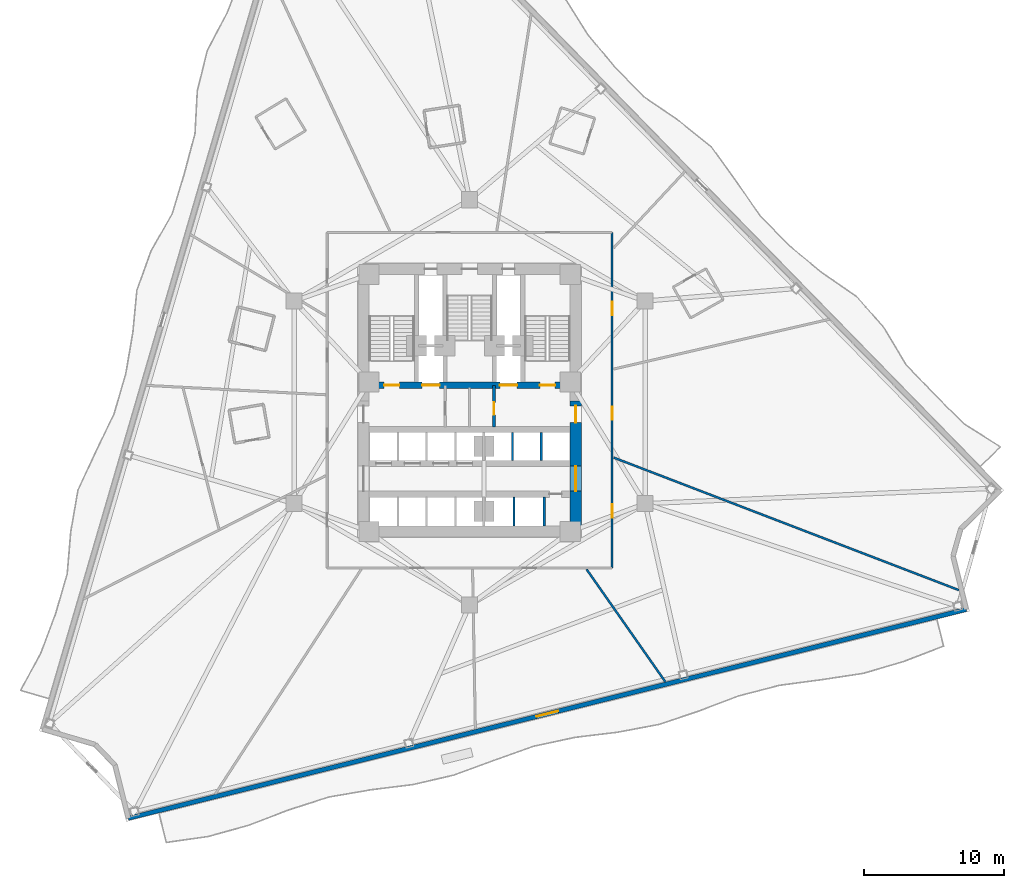
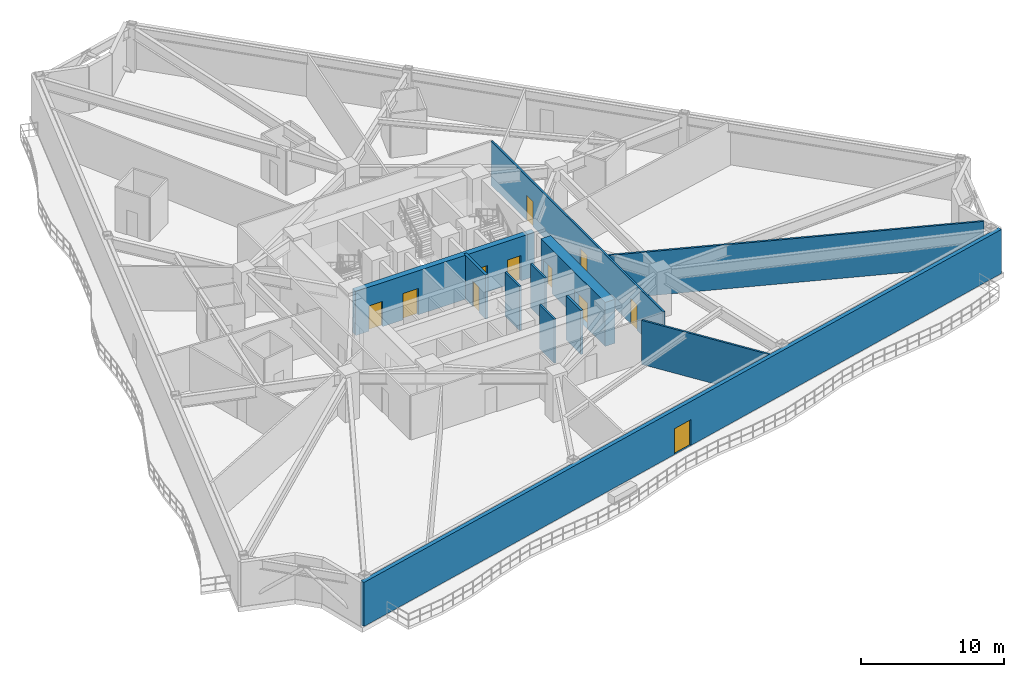
# One storey, part 7 of 13: 11 doors, 11 walls, 11 openings.
"""IFC4 building model written with IfcOpenShell, lengths in metres."""

from ifc_helpers import new_model, si_unit, direction, frame, frame_2d, origin, place, context, subcontext, project, spatial, rectangle, extrude, material, layer, layer_set, type_object, element, fill, save


model = new_model("IFC4")

# Units and contexts
model_context = context("Model", 3, precision=1e-05, world=origin(), true_north=direction((0.0, 1.0)))
body_context = subcontext(model_context, "Body", "Model", "MODEL_VIEW")
ifc_project = project(units=[si_unit("LENGTHUNIT", "METRE"), si_unit("AREAUNIT", "SQUARE_METRE"), si_unit("VOLUMEUNIT", "CUBIC_METRE"), si_unit("PLANEANGLEUNIT", "RADIAN"), si_unit("MASSUNIT", "GRAM", prefix="KILO")], contexts=[model_context])

# Site, building, storey
site_placement = place(None, origin())
site = spatial("IfcSite", under=ifc_project, at=site_placement, CompositionType="ELEMENT")
building_placement = place(site_placement, origin())
building = spatial("IfcBuilding", under=site, at=building_placement, Name="Apsidion Concourse Tower", CompositionType="ELEMENT")
storey_placement = place(building_placement, frame((0.0, 0.0, 95.0)))
storey = spatial("IfcBuildingStorey", under=building, at=storey_placement, Name="L21", CompositionType="ELEMENT", Elevation=95.0)

# Wall, opening, door
ifc_material_1 = material(Name="Precast concrete C40/50", Category="concrete")
ifc_layer_1 = layer(ifc_material_1, 0.320068359375)
ifc_layer_set_1 = layer_set([ifc_layer_1], Name="Precast concrete C40/50")
wall_type_1 = type_object("IfcWallType", Name="WL-EXT-320", PredefinedType="STANDARD", material=ifc_layer_set_1)
wall_1_placement = place(storey_placement, frame((35.546142578125, -14.818359375, 0.0), z_axis=(0.0, 0.0, 1.0), x_axis=(-0.970295883146, -0.241921266428, 0.0)))
wall_1 = element("IfcWall", 1, at=wall_1_placement, inside=storey, type_object=wall_type_1, Name="L21 Precast Stone Facade Wall 05", PredefinedType="STANDARD", context=body_context, shape_type="SweptSolid", body=[
    extrude(rectangle(XDim=61.810791015625, YDim=0.320068359375, at=frame_2d((30.9052734375, 0.0))), origin(), (0.0, 0.0, 1.0), 3.75),
])
opening_1_placement = place(wall_1_placement, frame((30.10546875, 0.0, 0.0)))
opening_1 = element("IfcOpeningElement", 2, at=opening_1_placement, cuts=wall_1, Name="Opening D-T2D", PredefinedType="OPENING", context=body_context, shape_type="SweptSolid", body=[
    extrude(rectangle(XDim=1.60009765625, YDim=2.199951171875, at=frame_2d((0.800048828125, 1.10009765625))), frame((0.0, 0.169921875, 0.0), z_axis=(0.0, -1.0, 0.0), x_axis=(1.0, 0.0, 0.0)), (0.0, 0.0, 1.0), 0.340087890625),
])
ifc_material_2 = material(Name="Anodised aluminium EN AW-6063 T6", Category="aluminium")
door_type_1 = type_object("IfcDoorType", Name="DR-TER-1622D", OperationType="DOUBLE_DOOR_SINGLE_SWING", PredefinedType="DOOR", material=ifc_material_2)
door_1_placement = place(opening_1_placement, origin())
door_1 = element("IfcDoor", 3, at=door_1_placement, inside=storey, type_object=door_type_1, Name="L21 Spiral Sky-Terrace Access Door 2", OperationType="DOUBLE_DOOR_SINGLE_SWING", OverallHeight=2.199951171875, OverallWidth=1.60009765625, PredefinedType="DOOR", context=body_context, shape_type="SweptSolid", body=[
    extrude(rectangle(XDim=1.60009765625, YDim=2.199951171875, at=frame_2d((0.800048828125, 1.10009765625))), frame((0.0, 0.02490234375, 0.0), z_axis=(0.0, -1.0, 0.0), x_axis=(1.0, 0.0, 0.0)), (0.0, 0.0, 1.0), 0.050048828125),
])
fill(opening_1, door_1)

# Walls
ifc_material_3 = material(Name="Gypsum plasterboard partition")
ifc_layer_2 = layer(ifc_material_3, 0.14990234375)
ifc_layer_set_2 = layer_set([ifc_layer_2], Name="Gypsum plasterboard partition")
wall_type_2 = type_object("IfcWallType", Name="WL-INT-PAR-150", PredefinedType="PARTITIONING", material=ifc_layer_set_2)
for number, where, z_axis, x_axis, name in (
    (4, (3.074951171875, -4.179931640625, 0.0), (0.0, 0.0, 1.0), (0.0, 1.0, 0.0), "L21 Interior Partition WL-L21-B3DIV-1"),
    (5, (5.125, -4.179931640625, 0.0), (0.0, 0.0, 1.0), (0.0, 1.0, 0.0), "L21 Interior Partition WL-L21-B3DIV-2"),
):
    element("IfcWall", number, at=place(storey_placement, frame(where, z_axis=z_axis, x_axis=x_axis)), inside=storey, type_object=wall_type_2, Name=name, PredefinedType="PARTITIONING", context=body_context, shape_type="SweptSolid", body=[
        extrude(rectangle(XDim=2.030029296875, YDim=0.14990234375, at=frame_2d((1.01513671875, 0.0))), origin(), (0.0, 0.0, 1.0), 3.75),
    ])
wall_2_placement = place(storey_placement, frame((3.175048828125, -8.85009765625, 0.0), z_axis=(0.0, 0.0, 1.0), x_axis=(0.0, 1.0, 0.0)))
element("IfcWall", 6, at=wall_2_placement, inside=storey, type_object=wall_type_2, Name="L21 Interior Partition WL-L21-SHDIV-1", PredefinedType="PARTITIONING", context=body_context, shape_type="SweptSolid", body=[
    extrude(rectangle(XDim=2.080078125, YDim=0.14990234375, at=frame_2d((1.0400390625, 0.0))), origin(), (0.0, 0.0, 1.0), 3.75),
])

# Wall, openings, doors
wall_3_placement = place(storey_placement, frame((10.199951171875, 12.14990234375, 0.0), z_axis=(0.0, 0.0, 1.0), x_axis=(0.0, -1.0, 0.0)))
wall_3 = element("IfcWall", 7, at=wall_3_placement, inside=storey, type_object=wall_type_2, Name="L21 Interior Partition WL-L21-CORR-02", PredefinedType="PARTITIONING", context=body_context, shape_type="SweptSolid", body=[
    extrude(rectangle(XDim=24.0, YDim=0.14990234375, at=frame_2d((12.0, 0.0))), origin(), (0.0, 0.0, 1.0), 3.75),
])
opening_2_placement = place(wall_3_placement, frame((19.447509765625, 0.0, 0.0)))
opening_2 = element("IfcOpeningElement", 8, at=opening_2_placement, cuts=wall_3, Name="Opening D-01L", PredefinedType="OPENING", context=body_context, shape_type="SweptSolid", body=[
    extrude(rectangle(XDim=0.949951171875, YDim=2.14990234375, at=frame_2d((0.47509765625, 1.074951171875))), frame((0.0, 0.0849609375, 0.0), z_axis=(0.0, -1.0, 0.0), x_axis=(1.0, 0.0, 0.0)), (0.0, 0.0, 1.0), 0.169921875),
])
opening_3_placement = place(wall_3_placement, frame((12.4609375, 0.0, 0.0)))
opening_3 = element("IfcOpeningElement", 9, at=opening_3_placement, cuts=wall_3, Name="Opening D-01R", PredefinedType="OPENING", context=body_context, shape_type="SweptSolid", body=[
    extrude(rectangle(XDim=0.949951171875, YDim=2.14990234375, at=frame_2d((0.47509765625, 1.074951171875))), frame((0.0, 0.0849609375, 0.0), z_axis=(0.0, -1.0, 0.0), x_axis=(1.0, 0.0, 0.0)), (0.0, 0.0, 1.0), 0.169921875),
])
opening_4_placement = place(wall_3_placement, frame((4.951416015625, 0.0, 0.0)))
opening_4 = element("IfcOpeningElement", 10, at=opening_4_placement, cuts=wall_3, Name="Opening D-01L", PredefinedType="OPENING", context=body_context, shape_type="SweptSolid", body=[
    extrude(rectangle(XDim=0.949951171875, YDim=2.14990234375, at=frame_2d((0.47509765625, 1.074951171875))), frame((0.0, 0.0849609375, 0.0), z_axis=(0.0, -1.0, 0.0), x_axis=(1.0, 0.0, 0.0)), (0.0, 0.0, 1.0), 0.169921875),
])
ifc_material_4 = material(Name="Brushed stainless steel 316", Category="steel")
door_type_2 = type_object("IfcDoorType", Name="DR-INT-D01L", OperationType="SINGLE_SWING_LEFT", PredefinedType="DOOR", material=ifc_material_4)
door_2_placement = place(opening_2_placement, origin())
door_2 = element("IfcDoor", 11, at=door_2_placement, inside=storey, type_object=door_type_2, Name="L21 Corridor Entry Door 05", OperationType="SINGLE_SWING_LEFT", OverallHeight=2.14990234375, OverallWidth=0.949951171875, PredefinedType="DOOR", context=body_context, shape_type="SweptSolid", body=[
    extrude(rectangle(XDim=0.949951171875, YDim=2.14990234375, at=frame_2d((0.47509765625, 1.074951171875))), frame((0.0, 0.02490234375, 0.0), z_axis=(0.0, -1.0, 0.0), x_axis=(1.0, 0.0, 0.0)), (0.0, 0.0, 1.0), 0.050048828125),
])
fill(opening_2, door_2)
door_3_placement = place(opening_4_placement, origin())
door_3 = element("IfcDoor", 12, at=door_3_placement, inside=storey, type_object=door_type_2, Name="L21 Corridor Entry Door 07", OperationType="SINGLE_SWING_LEFT", OverallHeight=2.14990234375, OverallWidth=0.949951171875, PredefinedType="DOOR", context=body_context, shape_type="SweptSolid", body=[
    extrude(rectangle(XDim=0.949951171875, YDim=2.14990234375, at=frame_2d((0.47509765625, 1.074951171875))), frame((0.0, 0.02490234375, 0.0), z_axis=(0.0, -1.0, 0.0), x_axis=(1.0, 0.0, 0.0)), (0.0, 0.0, 1.0), 0.050048828125),
])
fill(opening_4, door_3)
door_type_3 = type_object("IfcDoorType", Name="DR-INT-D01R", OperationType="SINGLE_SWING_RIGHT", PredefinedType="DOOR", material=ifc_material_4)
door_4_placement = place(opening_3_placement, origin())
door_4 = element("IfcDoor", 13, at=door_4_placement, inside=storey, type_object=door_type_3, Name="L21 Corridor Entry Door 06", OperationType="SINGLE_SWING_RIGHT", OverallHeight=2.14990234375, OverallWidth=0.949951171875, PredefinedType="DOOR", context=body_context, shape_type="SweptSolid", body=[
    extrude(rectangle(XDim=0.949951171875, YDim=2.14990234375, at=frame_2d((0.47509765625, 1.074951171875))), frame((0.0, 0.02490234375, 0.0), z_axis=(0.0, -1.0, 0.0), x_axis=(1.0, 0.0, 0.0)), (0.0, 0.0, 1.0), 0.050048828125),
])
fill(opening_3, door_4)

# Walls
wall_4_placement = place(storey_placement, frame((8.37109375, -11.955078125, 0.0), z_axis=(0.0, 0.0, 1.0), x_axis=(0.573577349042, -0.819151405215, 0.0)))
element("IfcWall", 14, at=wall_4_placement, inside=storey, type_object=wall_type_2, Name="L21 Interior Partition WL-L21-RAD-10-1", PredefinedType="PARTITIONING", context=body_context, shape_type="SweptSolid", body=[
    extrude(rectangle(XDim=9.830322265625, YDim=0.14990234375, at=frame_2d((4.9150390625, 0.0))), origin(), (0.0, 0.0, 1.0), 3.75),
])
wall_5_placement = place(storey_placement, frame((10.304931640625, -3.955810546875, 0.0), z_axis=(0.0, 0.0, 1.0), x_axis=(0.933582580095, -0.358362339182, 0.0)))
element("IfcWall", 15, at=wall_5_placement, inside=storey, type_object=wall_type_2, Name="L21 Interior Partition WL-L21-RAD-11-1", PredefinedType="PARTITIONING", context=body_context, shape_type="SweptSolid", body=[
    extrude(rectangle(XDim=26.476806640625, YDim=0.14990234375, at=frame_2d((13.23828125, 0.0))), origin(), (0.0, 0.0, 1.0), 3.75),
])
ifc_layer_3 = layer(ifc_material_3, 0.179931640625)
ifc_layer_set_3 = layer_set([ifc_layer_3], Name="Gypsum plasterboard partition")
wall_type_3 = type_object("IfcWallType", Name="WL-INT-PAR-180", PredefinedType="PARTITIONING", material=ifc_layer_set_3)
wall_6_placement = place(storey_placement, frame((5.324951171875, -8.85009765625, 0.0), z_axis=(0.0, 0.0, 1.0), x_axis=(0.0, 1.0, 0.0)))
element("IfcWall", 16, at=wall_6_placement, inside=storey, type_object=wall_type_3, Name="L21 Interior Partition WL-L21-SHDIV-2", PredefinedType="PARTITIONING", context=body_context, shape_type="SweptSolid", body=[
    extrude(rectangle(XDim=2.080078125, YDim=0.179931640625, at=frame_2d((1.0400390625, 0.0))), origin(), (0.0, 0.0, 1.0), 3.75),
])

# Wall, opening, door
ifc_layer_4 = layer(ifc_material_3, 0.199951171875)
ifc_layer_set_4 = layer_set([ifc_layer_4], Name="Gypsum plasterboard partition")
wall_type_4 = type_object("IfcWallType", Name="WL-INT-PAR-200", PredefinedType="PARTITIONING", material=ifc_layer_set_4)
wall_7_placement = place(storey_placement, frame((1.739990234375, -1.780029296875, 0.0), z_axis=(0.0, 0.0, 1.0), x_axis=(0.0, 1.0, 0.0)))
wall_7 = element("IfcWall", 17, at=wall_7_placement, inside=storey, type_object=wall_type_4, Name="L21 Interior Partition WL-L21-FF2-W", PredefinedType="PARTITIONING", context=body_context, shape_type="SweptSolid", body=[
    extrude(rectangle(XDim=2.97998046875, YDim=0.199951171875, at=frame_2d((1.489990234375, 0.0))), origin(), (0.0, 0.0, 1.0), 3.75),
])
opening_5_placement = place(wall_7_placement, frame((0.889892578125, 0.0, 0.0)))
opening_5 = element("IfcOpeningElement", 18, at=opening_5_placement, cuts=wall_7, Name="Opening D-05L", PredefinedType="OPENING", context=body_context, shape_type="SweptSolid", body=[
    extrude(rectangle(XDim=0.8798828125, YDim=2.14990234375, at=frame_2d((0.43994140625, 1.074951171875))), frame((0.0, 0.10986328125, 0.0), z_axis=(0.0, -1.0, 0.0), x_axis=(1.0, 0.0, 0.0)), (0.0, 0.0, 1.0), 0.219970703125),
])
door_type_4 = type_object("IfcDoorType", Name="DR-INT-D05L", OperationType="SINGLE_SWING_LEFT", PredefinedType="DOOR", material=ifc_material_4)
door_5_placement = place(opening_5_placement, origin())
door_5 = element("IfcDoor", 19, at=door_5_placement, inside=storey, type_object=door_type_4, Name="L21 Core Electrical Door", OperationType="SINGLE_SWING_LEFT", OverallHeight=2.14990234375, OverallWidth=0.8798828125, PredefinedType="DOOR", context=body_context, shape_type="SweptSolid", body=[
    extrude(rectangle(XDim=0.8798828125, YDim=2.14990234375, at=frame_2d((0.43994140625, 1.074951171875))), frame((0.0, 0.02490234375, 0.0), z_axis=(0.0, -1.0, 0.0), x_axis=(1.0, 0.0, 0.0)), (0.0, 0.0, 1.0), 0.050048828125),
])
fill(opening_5, door_5)

# Wall, openings, doors
ifc_material_5 = material(Name="Concrete C60/75", Category="concrete")
ifc_layer_5 = layer(ifc_material_5, 0.449951171875)
ifc_layer_set_5 = layer_set([ifc_layer_5], Name="Concrete C60/75")
wall_type_5 = type_object("IfcWallType", Name="WL-SH-450", PredefinedType="SHEAR", material=ifc_layer_set_5)
wall_8_placement = place(storey_placement, frame((-7.199951171875, 1.22509765625, 0.0), z_axis=(0.0, 0.0, 1.0), x_axis=(1.0, 0.0, 0.0)))
wall_8 = element("IfcWall", 20, at=wall_8_placement, inside=storey, type_object=wall_type_5, Name="L21 Central Core Shear Wall M1", PredefinedType="SHEAR", context=body_context, shape_type="SweptSolid", body=[
    extrude(rectangle(XDim=14.39990234375, YDim=0.449951171875, at=frame_2d((7.199951171875, 0.0))), origin(), (0.0, 0.0, 1.0), 3.75),
])
opening_6_placement = place(wall_8_placement, frame((3.794921875, 0.0, 0.0)))
opening_6 = element("IfcOpeningElement", 21, at=opening_6_placement, cuts=wall_8, Name="Opening LD-FF", PredefinedType="OPENING", context=body_context, shape_type="SweptSolid", body=[
    extrude(rectangle(XDim=1.25, YDim=2.25, at=frame_2d((0.625, 1.125))), frame((0.0, 0.23486328125, 0.0), z_axis=(0.0, -1.0, 0.0), x_axis=(1.0, 0.0, 0.0)), (0.0, 0.0, 1.0), 0.469970703125),
])
opening_7_placement = place(wall_8_placement, frame((9.35498046875, 0.0, 0.0)))
opening_7 = element("IfcOpeningElement", 22, at=opening_7_placement, cuts=wall_8, Name="Opening LD-FF", PredefinedType="OPENING", context=body_context, shape_type="SweptSolid", body=[
    extrude(rectangle(XDim=1.25, YDim=2.25, at=frame_2d((0.625, 1.125))), frame((0.0, 0.23486328125, 0.0), z_axis=(0.0, -1.0, 0.0), x_axis=(1.0, 0.0, 0.0)), (0.0, 0.0, 1.0), 0.469970703125),
])
opening_8_placement = place(wall_8_placement, frame((1.074951171875, 0.0, 0.0)))
opening_8 = element("IfcOpeningElement", 23, at=opening_8_placement, cuts=wall_8, Name="Opening D-STL", PredefinedType="OPENING", context=body_context, shape_type="SweptSolid", body=[
    extrude(rectangle(XDim=1.10009765625, YDim=2.14990234375, at=frame_2d((0.550048828125, 1.074951171875))), frame((0.0, 0.23486328125, 0.0), z_axis=(0.0, -1.0, 0.0), x_axis=(1.0, 0.0, 0.0)), (0.0, 0.0, 1.0), 0.469970703125),
])
opening_9_placement = place(wall_8_placement, frame((12.22509765625, 0.0, 0.0)))
opening_9 = element("IfcOpeningElement", 24, at=opening_9_placement, cuts=wall_8, Name="Opening D-STR", PredefinedType="OPENING", context=body_context, shape_type="SweptSolid", body=[
    extrude(rectangle(XDim=1.10009765625, YDim=2.14990234375, at=frame_2d((0.550048828125, 1.074951171875))), frame((0.0, 0.23486328125, 0.0), z_axis=(0.0, -1.0, 0.0), x_axis=(1.0, 0.0, 0.0)), (0.0, 0.0, 1.0), 0.469970703125),
])
door_type_5 = type_object("IfcDoorType", Name="DR-INT-ST1L", OperationType="SINGLE_SWING_LEFT", PredefinedType="DOOR", material=ifc_material_4)
door_6_placement = place(opening_8_placement, origin())
door_6 = element("IfcDoor", 25, at=door_6_placement, inside=storey, type_object=door_type_5, Name="L21 Core Exit Stair ST1 Door", OperationType="SINGLE_SWING_LEFT", OverallHeight=2.14990234375, OverallWidth=1.10009765625, PredefinedType="DOOR", context=body_context, shape_type="SweptSolid", body=[
    extrude(rectangle(XDim=1.10009765625, YDim=2.14990234375, at=frame_2d((0.550048828125, 1.074951171875))), frame((0.0, 0.02490234375, 0.0), z_axis=(0.0, -1.0, 0.0), x_axis=(1.0, 0.0, 0.0)), (0.0, 0.0, 1.0), 0.050048828125),
])
fill(opening_8, door_6)
door_type_6 = type_object("IfcDoorType", Name="DR-INT-ST1R", OperationType="SINGLE_SWING_RIGHT", PredefinedType="DOOR", material=ifc_material_4)
door_7_placement = place(opening_9_placement, origin())
door_7 = element("IfcDoor", 26, at=door_7_placement, inside=storey, type_object=door_type_6, Name="L21 Core Exit Stair ST2 Door", OperationType="SINGLE_SWING_RIGHT", OverallHeight=2.14990234375, OverallWidth=1.10009765625, PredefinedType="DOOR", context=body_context, shape_type="SweptSolid", body=[
    extrude(rectangle(XDim=1.10009765625, YDim=2.14990234375, at=frame_2d((0.550048828125, 1.074951171875))), frame((0.0, 0.02490234375, 0.0), z_axis=(0.0, -1.0, 0.0), x_axis=(1.0, 0.0, 0.0)), (0.0, 0.0, 1.0), 0.050048828125),
])
fill(opening_9, door_7)
door_type_7 = type_object("IfcDoorType", Name="DR-LD-FSAE", OperationType="DOUBLE_DOOR_SLIDING", PredefinedType="DOOR", material=ifc_material_4)
door_8_placement = place(opening_6_placement, origin())
door_8 = element("IfcDoor", 27, at=door_8_placement, inside=storey, type_object=door_type_7, Name="L21 Lift Landing Door FF1", OperationType="DOUBLE_DOOR_SLIDING", OverallHeight=2.25, OverallWidth=1.25, PredefinedType="DOOR", context=body_context, shape_type="SweptSolid", body=[
    extrude(rectangle(XDim=1.25, YDim=2.25, at=frame_2d((0.625, 1.125))), frame((0.0, 0.02490234375, 0.0), z_axis=(0.0, -1.0, 0.0), x_axis=(1.0, 0.0, 0.0)), (0.0, 0.0, 1.0), 0.050048828125),
])
fill(opening_6, door_8)
door_9_placement = place(opening_7_placement, origin())
door_9 = element("IfcDoor", 28, at=door_9_placement, inside=storey, type_object=door_type_7, Name="L21 Lift Landing Door FF2", OperationType="DOUBLE_DOOR_SLIDING", OverallHeight=2.25, OverallWidth=1.25, PredefinedType="DOOR", context=body_context, shape_type="SweptSolid", body=[
    extrude(rectangle(XDim=1.25, YDim=2.25, at=frame_2d((0.625, 1.125))), frame((0.0, 0.02490234375, 0.0), z_axis=(0.0, -1.0, 0.0), x_axis=(1.0, 0.0, 0.0)), (0.0, 0.0, 1.0), 0.050048828125),
])
fill(opening_7, door_9)

ifc_layer_6 = layer(ifc_material_5, 0.800048828125)
ifc_layer_set_6 = layer_set([ifc_layer_6], Name="Concrete C60/75")
wall_type_6 = type_object("IfcWallType", Name="WL-SH-800", PredefinedType="SHEAR", material=ifc_layer_set_6)
wall_9_placement = place(storey_placement, frame((7.60009765625, -8.85009765625, 0.0), z_axis=(0.0, 0.0, 1.0), x_axis=(0.0, 1.0, 0.0)))
wall_9 = element("IfcWall", 29, at=wall_9_placement, inside=storey, type_object=wall_type_6, Name="L21 Central Core Shear Wall ES", PredefinedType="SHEAR", context=body_context, shape_type="SweptSolid", body=[
    extrude(rectangle(XDim=8.9501953125, YDim=0.800048828125, at=frame_2d((4.47509765625, 0.0))), origin(), (0.0, 0.0, 1.0), 3.75),
])
opening_10_placement = place(wall_9_placement, frame((2.489990234375, 0.0, 0.0)))
opening_10 = element("IfcOpeningElement", 30, at=opening_10_placement, cuts=wall_9, Name="Opening D-06D", PredefinedType="OPENING", context=body_context, shape_type="SweptSolid", body=[
    extrude(rectangle(XDim=1.800048828125, YDim=2.199951171875, at=frame_2d((0.89990234375, 1.10009765625))), frame((0.0, 0.41015625, 0.0), z_axis=(0.0, -1.0, 0.0), x_axis=(1.0, 0.0, 0.0)), (0.0, 0.0, 1.0), 0.820068359375),
])
opening_11_placement = place(wall_9_placement, frame((7.39990234375, 0.0, 0.0)))
opening_11 = element("IfcOpeningElement", 31, at=opening_11_placement, cuts=wall_9, Name="Opening D-FFR", PredefinedType="OPENING", context=body_context, shape_type="SweptSolid", body=[
    extrude(rectangle(XDim=1.199951171875, YDim=2.14990234375, at=frame_2d((0.60009765625, 1.074951171875))), frame((0.0, 0.41015625, 0.0), z_axis=(0.0, -1.0, 0.0), x_axis=(1.0, 0.0, 0.0)), (0.0, 0.0, 1.0), 0.820068359375),
])
door_type_8 = type_object("IfcDoorType", Name="DR-INT-D06D", OperationType="DOUBLE_DOOR_SINGLE_SWING", PredefinedType="DOOR", material=ifc_material_4)
door_10_placement = place(opening_10_placement, origin())
door_10 = element("IfcDoor", 32, at=door_10_placement, inside=storey, type_object=door_type_8, Name="L21 Passenger Lift Lobby ES Portal Door", OperationType="DOUBLE_DOOR_SINGLE_SWING", OverallHeight=2.199951171875, OverallWidth=1.800048828125, PredefinedType="DOOR", context=body_context, shape_type="SweptSolid", body=[
    extrude(rectangle(XDim=1.800048828125, YDim=2.199951171875, at=frame_2d((0.89990234375, 1.10009765625))), frame((0.0, 0.02490234375, 0.0), z_axis=(0.0, -1.0, 0.0), x_axis=(1.0, 0.0, 0.0)), (0.0, 0.0, 1.0), 0.050048828125),
])
fill(opening_10, door_10)
door_type_9 = type_object("IfcDoorType", Name="DR-INT-FFR", OperationType="SINGLE_SWING_RIGHT", PredefinedType="DOOR", material=ifc_material_4)
door_11_placement = place(opening_11_placement, origin())
door_11 = element("IfcDoor", 33, at=door_11_placement, inside=storey, type_object=door_type_9, Name="L21 Firefighting Lift Lobby FF2 Door", OperationType="SINGLE_SWING_RIGHT", OverallHeight=2.14990234375, OverallWidth=1.199951171875, PredefinedType="DOOR", context=body_context, shape_type="SweptSolid", body=[
    extrude(rectangle(XDim=1.199951171875, YDim=2.14990234375, at=frame_2d((0.60009765625, 1.074951171875))), frame((0.0, 0.02490234375, 0.0), z_axis=(0.0, -1.0, 0.0), x_axis=(1.0, 0.0, 0.0)), (0.0, 0.0, 1.0), 0.050048828125),
])
fill(opening_11, door_11)

save(model, "model.ifc")
